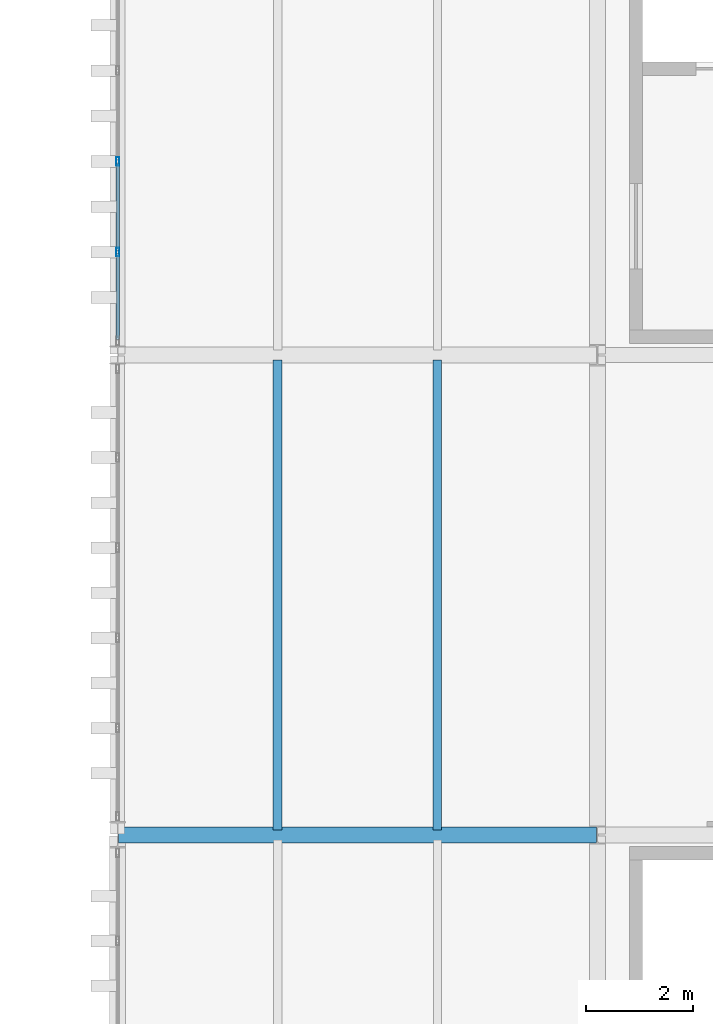
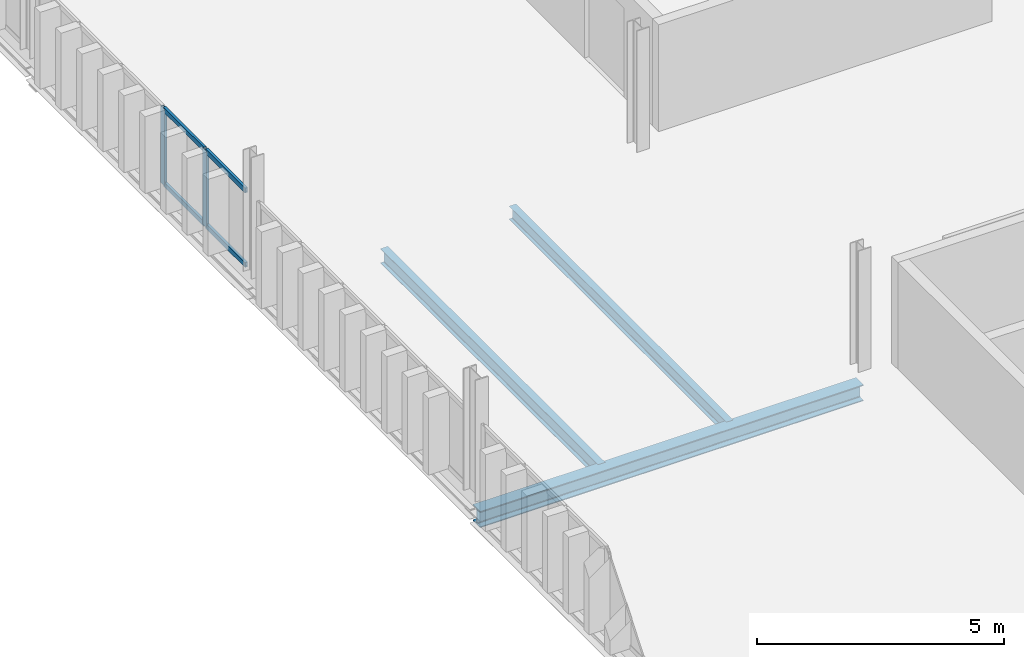
# One storey, part 31 of 58: 6 members, 3 beams, 1 element without a shape of its own.
"""IFC4 building model written with IfcOpenShell, lengths in metres."""

from ifc_helpers import new_model, si_unit, direction, frame, origin, origin_2d, place, context, subcontext, project, spatial, hollow_rectangle, i_section, extrude, material, layer, layer_set, material_profile, profile_set, type_object, element, aggregate, save


model = new_model("IFC4")

# Units and contexts
model_context = context("Model", 3, precision=1e-05, world=origin(), true_north=direction((0.0, 1.0)))
body_context = subcontext(model_context, "Body", "Model", "MODEL_VIEW")
ifc_project = project(units=[si_unit("LENGTHUNIT", "METRE"), si_unit("AREAUNIT", "SQUARE_METRE"), si_unit("VOLUMEUNIT", "CUBIC_METRE"), si_unit("PLANEANGLEUNIT", "RADIAN"), si_unit("MASSUNIT", "GRAM", prefix="KILO")], contexts=[model_context])

# Site, building, storey
site_placement = place(None, origin())
site = spatial("IfcSite", under=ifc_project, at=site_placement, CompositionType="ELEMENT")
building_placement = place(site_placement, origin())
building = spatial("IfcBuilding", under=site, at=building_placement, Name="Barlavento Convention Centre", CompositionType="ELEMENT")
storey_placement = place(building_placement, frame((0.0, 0.0, 26.800048828125)))
storey = spatial("IfcBuildingStorey", under=building, at=storey_placement, Name="L05", CompositionType="ELEMENT", Elevation=26.800048828125)

# Curtain wall, members
ifc_material_1 = material(Name="Powder-coated aluminium and Low-E glass", Category="aluminium")
ifc_layer = layer(ifc_material_1, 0.18994140625)
ifc_layer_set = layer_set([ifc_layer], Name="ARC-CW-CONF-L05")
curtain_wall_type = type_object("IfcCurtainWallType", Name="ARC-CW-CONF-L05", PredefinedType="NOTDEFINED", material=ifc_layer_set)
curtain_wall_placement = place(storey_placement, origin())
curtain_wall = element("IfcCurtainWall", 1, at=curtain_wall_placement, inside=storey, type_object=curtain_wall_type, Name="L05 unitised curtain wall CW10", PredefinedType="NOTDEFINED")
ifc_material_2 = material(Name="Powder-coated aluminium", Category="aluminium")
ifc_material_profile_1 = material_profile(ifc_material_2, hollow_rectangle(XDim=0.06005859375, YDim=0.159912109375, WallThickness=0.00390625, at=origin_2d()), Name="AL-MULL 60x160x4")
ifc_profile_set_1 = profile_set([ifc_material_profile_1], Name="Powder-coated aluminium")
member_type_1 = type_object("IfcMemberType", Name="ARC-CWM-60X160", PredefinedType="MULLION", material=ifc_profile_set_1)
member_1_placement = place(storey_placement, frame((171.0, 73.931884765625, 0.0), z_axis=(0.0, 0.0, 1.0), x_axis=(-1.0, 0.0, 0.0)))
member_1 = element("IfcMember", 2, at=member_1_placement, type_object=member_type_1, Name="CW10 mullion 2", PredefinedType="MULLION", context=body_context, shape_type="SweptSolid", body=[
    extrude(hollow_rectangle(XDim=0.06005859375, YDim=0.159912109375, WallThickness=0.00390625, at=origin_2d()), origin(), (0.0, 0.0, 1.0), 1.89990234375),
])
member_2_placement = place(storey_placement, frame((171.0, 75.634033203125, 0.0), z_axis=(0.0, 0.0, 1.0), x_axis=(-1.0, 0.0, 0.0)))
member_2 = element("IfcMember", 3, at=member_2_placement, type_object=member_type_1, Name="CW10 mullion 3", PredefinedType="MULLION", context=body_context, shape_type="SweptSolid", body=[
    extrude(hollow_rectangle(XDim=0.06005859375, YDim=0.159912109375, WallThickness=0.00390625, at=origin_2d()), origin(), (0.0, 0.0, 1.0), 1.89990234375),
])
ifc_material_profile_2 = material_profile(ifc_material_2, hollow_rectangle(XDim=0.06005859375, YDim=0.1201171875, WallThickness=0.00390625, at=origin_2d()), Name="AL-TRAN 60x120x4")
ifc_profile_set_2 = profile_set([ifc_material_profile_2], Name="Powder-coated aluminium")
member_type_2 = type_object("IfcMemberType", Name="ARC-CWT-60X120", PredefinedType="USERDEFINED", material=ifc_profile_set_2)
member_3_placement = place(storey_placement, frame((171.0, 72.2900390625, 0.030029296875), z_axis=(0.0, 1.0, 0.0), x_axis=(-1.0, 0.0, 0.0)))
member_3 = element("IfcMember", 4, at=member_3_placement, type_object=member_type_2, Name="CW10 transom 1.1", ObjectType="TRANSOM", PredefinedType="USERDEFINED", context=body_context, shape_type="SweptSolid", body=[
    extrude(hollow_rectangle(XDim=0.06005859375, YDim=0.1201171875, WallThickness=0.00390625, at=origin_2d()), origin(), (0.0, 0.0, 1.0), 1.612060546875),
])
member_4_placement = place(storey_placement, frame((171.0, 72.2900390625, 1.869873046875), z_axis=(0.0, 1.0, 0.0), x_axis=(-1.0, 0.0, 0.0)))
member_4 = element("IfcMember", 5, at=member_4_placement, type_object=member_type_2, Name="CW10 transom 1.2", ObjectType="TRANSOM", PredefinedType="USERDEFINED", context=body_context, shape_type="SweptSolid", body=[
    extrude(hollow_rectangle(XDim=0.06005859375, YDim=0.1201171875, WallThickness=0.00390625, at=origin_2d()), origin(), (0.0, 0.0, 1.0), 1.612060546875),
])
member_5_placement = place(storey_placement, frame((171.0, 73.9619140625, 0.030029296875), z_axis=(0.0, 1.0, 0.0), x_axis=(-1.0, 0.0, 0.0)))
member_5 = element("IfcMember", 6, at=member_5_placement, type_object=member_type_2, Name="CW10 transom 2.1", ObjectType="TRANSOM", PredefinedType="USERDEFINED", context=body_context, shape_type="SweptSolid", body=[
    extrude(hollow_rectangle(XDim=0.06005859375, YDim=0.1201171875, WallThickness=0.00390625, at=origin_2d()), origin(), (0.0, 0.0, 1.0), 1.64208984375),
])
member_6_placement = place(storey_placement, frame((171.0, 73.9619140625, 1.869873046875), z_axis=(0.0, 1.0, 0.0), x_axis=(-1.0, 0.0, 0.0)))
member_6 = element("IfcMember", 7, at=member_6_placement, type_object=member_type_2, Name="CW10 transom 2.2", ObjectType="TRANSOM", PredefinedType="USERDEFINED", context=body_context, shape_type="SweptSolid", body=[
    extrude(hollow_rectangle(XDim=0.06005859375, YDim=0.1201171875, WallThickness=0.00390625, at=origin_2d()), origin(), (0.0, 0.0, 1.0), 1.64208984375),
])
aggregate(curtain_wall, [member_1, member_2, member_3, member_4, member_5, member_6])

# Beams
ifc_material_3 = material(Name="Steel S355", Category="steel")
ifc_material_profile_3 = material_profile(ifc_material_3, i_section(OverallWidth=0.159912109375, OverallDepth=0.330078125, WebThickness=0.007568359375, FlangeThickness=0.011474609375, FilletRadius=0.01806640625, at=origin_2d()), Name="IPE 330")
ifc_profile_set_3 = profile_set([ifc_material_profile_3], Name="Steel S355")
beam_type_1 = type_object("IfcBeamType", Name="STR-BM-JST-IPE330", PredefinedType="JOIST", material=ifc_profile_set_3)
beam_1_placement = place(storey_placement, frame((177.0, 63.094970703125, -0.525146484375), z_axis=(0.0, 1.0, 0.0), x_axis=(-1.0, 0.0, 0.0)))
element("IfcBeam", 8, at=beam_1_placement, inside=storey, type_object=beam_type_1, Name="L05 composite floor joist SJ06", PredefinedType="JOIST", context=body_context, shape_type="SweptSolid", body=[
    extrude(i_section(OverallWidth=0.159912109375, OverallDepth=0.330078125, WebThickness=0.007568359375, FlangeThickness=0.011474609375, FilletRadius=0.01806640625, at=origin_2d()), origin(), (0.0, 0.0, 1.0), 8.81005859375),
])
ifc_material_profile_4 = material_profile(ifc_material_3, i_section(OverallWidth=0.169921875, OverallDepth=0.360107421875, WebThickness=0.008056640625, FlangeThickness=0.0126953125, FilletRadius=0.01806640625, at=origin_2d()), Name="IPE 360")
ifc_profile_set_4 = profile_set([ifc_material_profile_4], Name="Steel S355")
beam_type_2 = type_object("IfcBeamType", Name="STR-BM-JST-IPE360", PredefinedType="JOIST", material=ifc_profile_set_4)
beam_2_placement = place(storey_placement, frame((174.0, 63.094970703125, -0.5400390625), z_axis=(0.0, 1.0, 0.0), x_axis=(-1.0, 0.0, 0.0)))
element("IfcBeam", 9, at=beam_2_placement, inside=storey, type_object=beam_type_2, Name="L05 composite floor joist SJ05", PredefinedType="JOIST", context=body_context, shape_type="SweptSolid", body=[
    extrude(i_section(OverallWidth=0.169921875, OverallDepth=0.360107421875, WebThickness=0.008056640625, FlangeThickness=0.0126953125, FilletRadius=0.01806640625, at=origin_2d()), origin(), (0.0, 0.0, 1.0), 8.81005859375),
])
ifc_material_profile_5 = material_profile(ifc_material_3, i_section(OverallWidth=0.300048828125, OverallDepth=0.39990234375, WebThickness=0.013427734375, FlangeThickness=0.02392578125, FilletRadius=0.027099609375, at=origin_2d()), Name="HEB 400")
ifc_profile_set_5 = profile_set([ifc_material_profile_5], Name="Steel S355")
beam_type_3 = type_object("IfcBeamType", Name="STR-BM-PRI-HEB400", PredefinedType="BEAM", material=ifc_profile_set_5)
beam_3_placement = place(storey_placement, frame((171.02001953125, 63.0, -0.56005859375), z_axis=(1.0, 0.0, 0.0), x_axis=(0.0, 1.0, 0.0)))
element("IfcBeam", 10, at=beam_3_placement, inside=storey, type_object=beam_type_3, Name="L05 primary girder BG11", PredefinedType="BEAM", context=body_context, shape_type="SweptSolid", body=[
    extrude(i_section(OverallWidth=0.300048828125, OverallDepth=0.39990234375, WebThickness=0.013427734375, FlangeThickness=0.02392578125, FilletRadius=0.027099609375, at=origin_2d()), origin(), (0.0, 0.0, 1.0), 8.9599609375),
])

save(model, "model.ifc")
